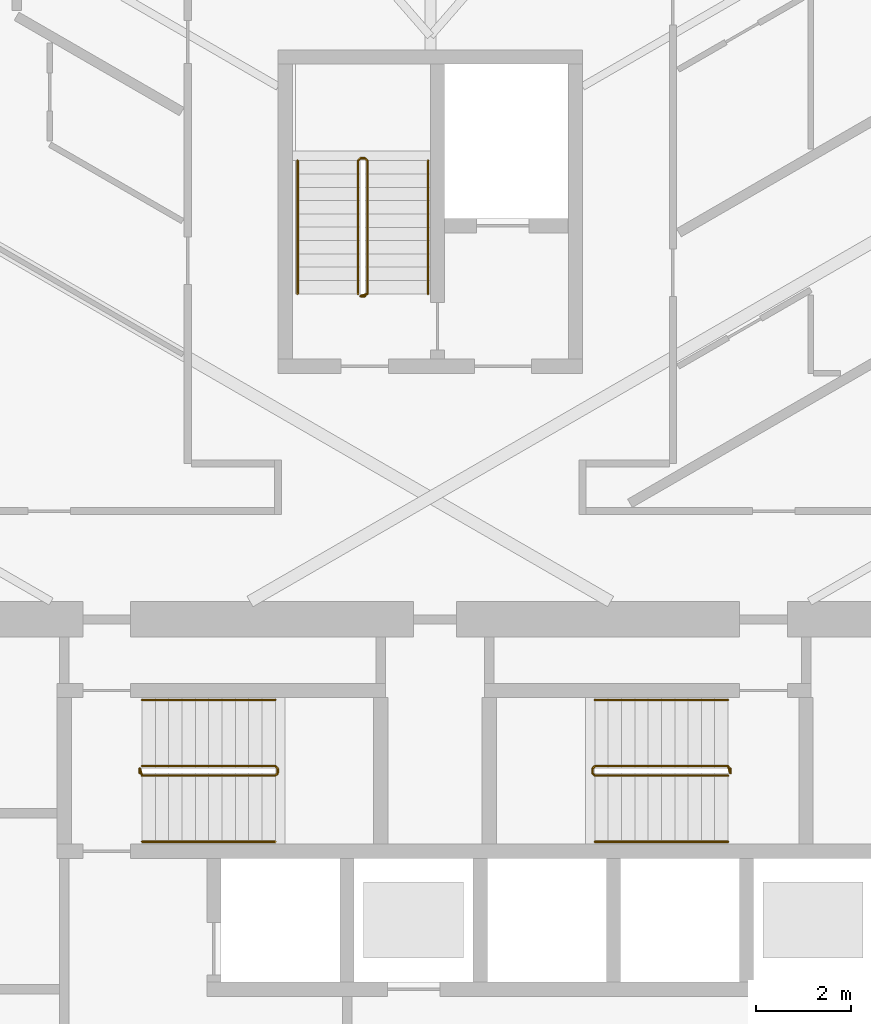
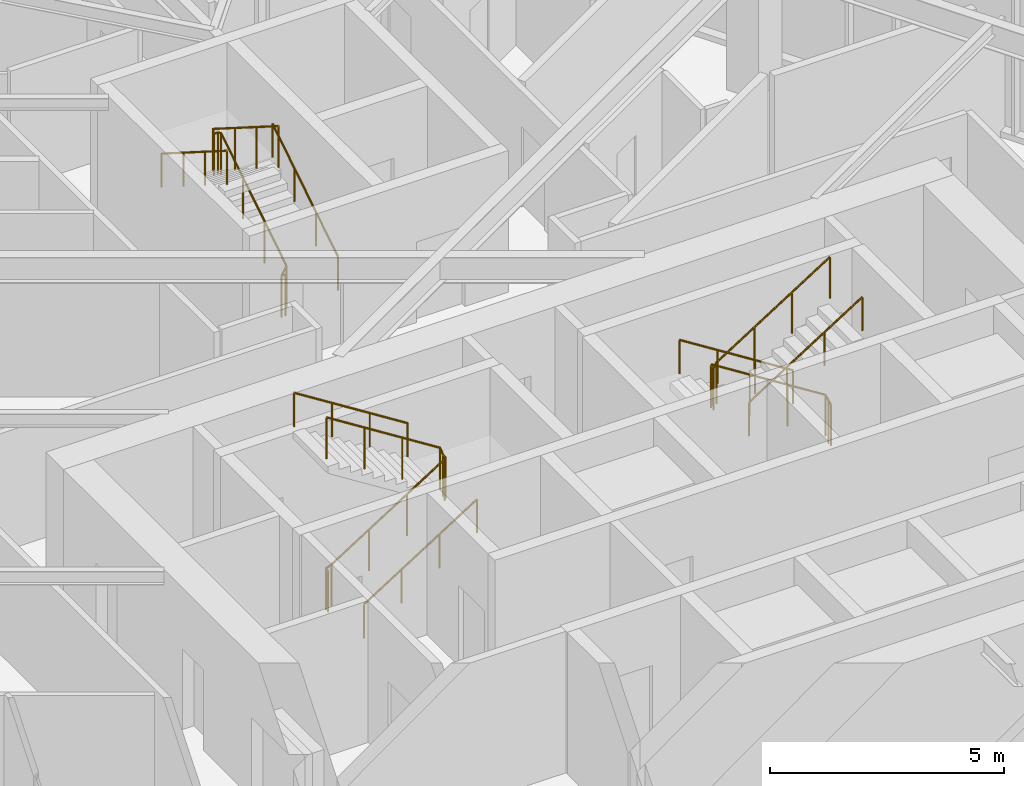
# One storey, part 18 of 19: 9 railings.
"""IFC4 building model written with IfcOpenShell, lengths in metres."""

from ifc_helpers import new_model, si_unit, direction, frame, origin, origin_2d, place, context, subcontext, project, spatial, circle, extrude, material, type_object, element, save


model = new_model("IFC4")

# Units and contexts
model_context = context("Model", 3, precision=1e-05, world=origin(), true_north=direction((0.0, 1.0)))
body_context = subcontext(model_context, "Body", "Model", "MODEL_VIEW")
ifc_project = project(units=[si_unit("LENGTHUNIT", "METRE"), si_unit("AREAUNIT", "SQUARE_METRE"), si_unit("VOLUMEUNIT", "CUBIC_METRE"), si_unit("PLANEANGLEUNIT", "RADIAN"), si_unit("MASSUNIT", "GRAM", prefix="KILO")], contexts=[model_context])

# Site, building, storey
site_placement = place(None, origin())
site = spatial("IfcSite", under=ifc_project, at=site_placement, CompositionType="ELEMENT")
building_placement = place(site_placement, origin())
building = spatial("IfcBuilding", under=site, at=building_placement, Name="Firuza Gate Tower and Library", CompositionType="ELEMENT")
storey_placement = place(building_placement, frame((0.0, 0.0, 179.199951171875)))
storey = spatial("IfcBuildingStorey", under=building, at=storey_placement, Name="L41", CompositionType="ELEMENT", Elevation=179.199951171875)

# Railings
ifc_material_1 = material(Name="Steel S355", Category="steel")
railing_type_1 = type_object("IfcRailingType", Name="Stair guard 1100", PredefinedType="GUARDRAIL", material=ifc_material_1)
railing_1_placement = place(storey_placement, frame((68.889892578125, 79.389892578125, 0.0)))
element("IfcRailing", 1, at=railing_1_placement, inside=storey, type_object=railing_type_1, Name="L41 ST1 stair guard 1", PredefinedType="GUARDRAIL", context=body_context, shape_type="SweptSolid", body=[
    extrude(circle(Radius=0.02392578125, at=origin_2d()), frame((0.0, 0.0, 1.076171875), z_axis=(0.0, 1.0, 0.0), x_axis=(-1.0, 0.0, 0.0)), (0.0, 0.0, 1.0), 0.10009765625),
    extrude(circle(Radius=0.02392578125, at=origin_2d()), frame((0.0, 0.10009765625, 1.076171875), z_axis=(0.210758951027, -0.631248760638, 0.74639511437), x_axis=(0.948528701346, 0.316691178788, 0.0)), (0.0, 0.0, 1.0), 0.237548828125),
    extrude(circle(Radius=0.02392578125, at=origin_2d()), frame((0.050048828125, -0.0498046875, 1.25341796875), z_axis=(0.844908973607, 0.0, 0.534910110503), x_axis=(0.0, 1.0, 0.0)), (0.0, 0.0, 1.0), 3.31396484375),
    extrude(circle(Radius=0.02392578125, at=origin_2d()), frame((2.85009765625, -0.0498046875, 3.02587890625), z_axis=(0.708833529934, 0.705375805398, 0.0), x_axis=(-0.705375805398, 0.708833529934, 0.0)), (0.0, 0.0, 1.0), 0.070556640625),
    extrude(circle(Radius=0.02392578125, at=origin_2d()), frame((2.900146484375, 0.0, 3.02587890625), z_axis=(0.0, 1.0, 0.0), x_axis=(-1.0, 0.0, 0.0)), (0.0, 0.0, 1.0), 0.10009765625),
    extrude(circle(Radius=0.02392578125, at=origin_2d()), frame((2.900146484375, 0.10009765625, 3.02587890625), z_axis=(-0.261922500866, 0.261922500866, 0.928866625022), x_axis=(-0.707106781187, -0.707106781187, 0.0)), (0.0, 0.0, 1.0), 0.191162109375),
    extrude(circle(Radius=0.02392578125, at=origin_2d()), frame((2.85009765625, 0.150146484375, 3.20361328125), z_axis=(-0.844908973607, 0.0, 0.534910110503), x_axis=(0.0, -1.0, 0.0)), (0.0, 0.0, 1.0), 3.31396484375),
    extrude(circle(Radius=0.02099609375, at=origin_2d()), origin(), (0.0, 0.0, 1.0), 1.052001953125),
    extrude(circle(Radius=0.02099609375, at=origin_2d()), frame((0.0, 0.10009765625, 0.0)), (0.0, 0.0, 1.0), 1.052001953125),
    extrude(circle(Radius=0.02099609375, at=origin_2d()), frame((0.050048828125, -0.0498046875, 0.17724609375)), (0.0, 0.0, 1.0), 1.052001953125),
    extrude(circle(Radius=0.02099609375, at=origin_2d()), frame((0.9833984375, -0.0498046875, 0.76806640625)), (0.0, 0.0, 1.0), 1.052001953125),
    extrude(circle(Radius=0.02099609375, at=origin_2d()), frame((1.916748046875, -0.0498046875, 1.359130859375)), (0.0, 0.0, 1.0), 1.052001953125),
    extrude(circle(Radius=0.02099609375, at=origin_2d()), frame((2.85009765625, -0.0498046875, 1.949951171875)), (0.0, 0.0, 1.0), 1.052001953125),
    extrude(circle(Radius=0.02099609375, at=origin_2d()), frame((2.900146484375, 0.0, 1.949951171875)), (0.0, 0.0, 1.0), 1.052001953125),
    extrude(circle(Radius=0.02099609375, at=origin_2d()), frame((2.900146484375, 0.10009765625, 1.949951171875)), (0.0, 0.0, 1.0), 1.052001953125),
    extrude(circle(Radius=0.02099609375, at=origin_2d()), frame((2.85009765625, 0.150146484375, 2.12744140625)), (0.0, 0.0, 1.0), 1.052001953125),
    extrude(circle(Radius=0.02099609375, at=origin_2d()), frame((1.916748046875, 0.150146484375, 2.71826171875)), (0.0, 0.0, 1.0), 1.052001953125),
    extrude(circle(Radius=0.02099609375, at=origin_2d()), frame((0.9833984375, 0.150146484375, 3.309326171875)), (0.0, 0.0, 1.0), 1.052001953125),
    extrude(circle(Radius=0.02099609375, at=origin_2d()), frame((0.050048828125, 0.150146484375, 3.900146484375)), (0.0, 0.0, 1.0), 1.052001953125),
])
railing_2_placement = place(storey_placement, frame((81.31005859375, 79.489990234375, 0.0)))
element("IfcRailing", 2, at=railing_2_placement, inside=storey, type_object=railing_type_1, Name="L41 ST2 stair guard 1", PredefinedType="GUARDRAIL", context=body_context, shape_type="SweptSolid", body=[
    extrude(circle(Radius=0.02392578125, at=origin_2d()), frame((0.0, 0.0, 1.076171875), z_axis=(0.0, -1.0, 0.0), x_axis=(1.0, 0.0, 0.0)), (0.0, 0.0, 1.0), 0.10009765625),
    extrude(circle(Radius=0.02392578125, at=origin_2d()), frame((0.0, -0.10009765625, 1.076171875), z_axis=(-0.210622194084, 0.631866582253, 0.74591079466), x_axis=(-0.948683298051, -0.316227766017, 0.0)), (0.0, 0.0, 1.0), 0.237548828125),
    extrude(circle(Radius=0.02392578125, at=origin_2d()), frame((-0.050048828125, 0.050048828125, 1.25341796875), z_axis=(-0.844908973607, 0.0, 0.534910110503), x_axis=(0.0, -1.0, 0.0)), (0.0, 0.0, 1.0), 3.31396484375),
    extrude(circle(Radius=0.02392578125, at=origin_2d()), frame((-2.85009765625, 0.050048828125, 3.02587890625), z_axis=(-0.707106781187, -0.707106781187, 0.0), x_axis=(0.707106781187, -0.707106781187, 0.0)), (0.0, 0.0, 1.0), 0.07080078125),
    extrude(circle(Radius=0.02392578125, at=origin_2d()), frame((-2.900146484375, 0.0, 3.02587890625), z_axis=(0.0, -1.0, 0.0), x_axis=(1.0, 0.0, 0.0)), (0.0, 0.0, 1.0), 0.10009765625),
    extrude(circle(Radius=0.02392578125, at=origin_2d()), frame((-2.900146484375, -0.10009765625, 3.02587890625), z_axis=(0.262009983441, -0.260731885961, 0.929176868105), x_axis=(0.705375805398, 0.708833529934, 0.0)), (0.0, 0.0, 1.0), 0.19091796875),
    extrude(circle(Radius=0.02392578125, at=origin_2d()), frame((-2.85009765625, -0.14990234375, 3.20361328125), z_axis=(0.844908973607, 0.0, 0.534910110503), x_axis=(0.0, 1.0, 0.0)), (0.0, 0.0, 1.0), 3.31396484375),
    extrude(circle(Radius=0.02099609375, at=origin_2d()), origin(), (0.0, 0.0, 1.0), 1.052001953125),
    extrude(circle(Radius=0.02099609375, at=origin_2d()), frame((0.0, -0.10009765625, 0.0)), (0.0, 0.0, 1.0), 1.052001953125),
    extrude(circle(Radius=0.02099609375, at=origin_2d()), frame((-0.050048828125, 0.050048828125, 0.17724609375)), (0.0, 0.0, 1.0), 1.052001953125),
    extrude(circle(Radius=0.02099609375, at=origin_2d()), frame((-0.9833984375, 0.050048828125, 0.76806640625)), (0.0, 0.0, 1.0), 1.052001953125),
    extrude(circle(Radius=0.02099609375, at=origin_2d()), frame((-1.916748046875, 0.050048828125, 1.359130859375)), (0.0, 0.0, 1.0), 1.052001953125),
    extrude(circle(Radius=0.02099609375, at=origin_2d()), frame((-2.85009765625, 0.050048828125, 1.949951171875)), (0.0, 0.0, 1.0), 1.052001953125),
    extrude(circle(Radius=0.02099609375, at=origin_2d()), frame((-2.900146484375, 0.0, 1.949951171875)), (0.0, 0.0, 1.0), 1.052001953125),
    extrude(circle(Radius=0.02099609375, at=origin_2d()), frame((-2.900146484375, -0.10009765625, 1.949951171875)), (0.0, 0.0, 1.0), 1.052001953125),
    extrude(circle(Radius=0.02099609375, at=origin_2d()), frame((-2.85009765625, -0.14990234375, 2.12744140625)), (0.0, 0.0, 1.0), 1.052001953125),
    extrude(circle(Radius=0.02099609375, at=origin_2d()), frame((-1.916748046875, -0.14990234375, 2.71826171875)), (0.0, 0.0, 1.0), 1.052001953125),
    extrude(circle(Radius=0.02099609375, at=origin_2d()), frame((-0.9833984375, -0.14990234375, 3.309326171875)), (0.0, 0.0, 1.0), 1.052001953125),
    extrude(circle(Radius=0.02099609375, at=origin_2d()), frame((-0.050048828125, -0.14990234375, 3.900146484375)), (0.0, 0.0, 1.0), 1.052001953125),
])
railing_3_placement = place(storey_placement, frame((73.6298828125, 89.419921875, 0.0)))
element("IfcRailing", 3, at=railing_3_placement, inside=storey, type_object=railing_type_1, Name="L41 ST3 stair guard 1", PredefinedType="GUARDRAIL", context=body_context, shape_type="SweptSolid", body=[
    extrude(circle(Radius=0.02392578125, at=origin_2d()), frame((0.0, 0.0, 1.076171875), z_axis=(-1.0, 0.0, 0.0), x_axis=(0.0, -1.0, 0.0)), (0.0, 0.0, 1.0), 0.099853515625),
    extrude(circle(Radius=0.02392578125, at=origin_2d()), frame((-0.099853515625, 0.0, 1.076171875), z_axis=(0.631248760638, 0.210758951027, 0.74639511437), x_axis=(-0.316691178788, 0.948528701346, 0.0)), (0.0, 0.0, 1.0), 0.237548828125),
    extrude(circle(Radius=0.02392578125, at=origin_2d()), frame((0.050048828125, 0.050048828125, 1.25341796875), z_axis=(0.0, 0.844908973607, 0.534910110503), x_axis=(-1.0, 0.0, 0.0)), (0.0, 0.0, 1.0), 3.31396484375),
    extrude(circle(Radius=0.02392578125, at=origin_2d()), frame((0.050048828125, 2.85009765625, 3.02587890625), z_axis=(-0.707106781187, 0.707106781187, 0.0), x_axis=(-0.707106781187, -0.707106781187, 0.0)), (0.0, 0.0, 1.0), 0.07080078125),
    extrude(circle(Radius=0.02392578125, at=origin_2d()), frame((0.0, 2.900146484375, 3.02587890625), z_axis=(-1.0, 0.0, 0.0), x_axis=(0.0, -1.0, 0.0)), (0.0, 0.0, 1.0), 0.099853515625),
    extrude(circle(Radius=0.02392578125, at=origin_2d()), frame((-0.099853515625, 2.900146484375, 3.02587890625), z_axis=(-0.261922500866, -0.261922500866, 0.928866625022), x_axis=(0.707106781187, -0.707106781187, 0.0)), (0.0, 0.0, 1.0), 0.191162109375),
    extrude(circle(Radius=0.02392578125, at=origin_2d()), frame((-0.14990234375, 2.85009765625, 3.20361328125), z_axis=(0.0, -0.844908973607, 0.534910110503), x_axis=(1.0, 0.0, 0.0)), (0.0, 0.0, 1.0), 3.31396484375),
    extrude(circle(Radius=0.02099609375, at=origin_2d()), origin(), (0.0, 0.0, 1.0), 1.052001953125),
    extrude(circle(Radius=0.02099609375, at=origin_2d()), frame((-0.099853515625, 0.0, 0.0)), (0.0, 0.0, 1.0), 1.052001953125),
    extrude(circle(Radius=0.02099609375, at=origin_2d()), frame((0.050048828125, 0.050048828125, 0.17724609375)), (0.0, 0.0, 1.0), 1.052001953125),
    extrude(circle(Radius=0.02099609375, at=origin_2d()), frame((0.050048828125, 0.9833984375, 0.76806640625)), (0.0, 0.0, 1.0), 1.052001953125),
    extrude(circle(Radius=0.02099609375, at=origin_2d()), frame((0.050048828125, 1.916748046875, 1.359130859375)), (0.0, 0.0, 1.0), 1.052001953125),
    extrude(circle(Radius=0.02099609375, at=origin_2d()), frame((0.050048828125, 2.85009765625, 1.949951171875)), (0.0, 0.0, 1.0), 1.052001953125),
    extrude(circle(Radius=0.02099609375, at=origin_2d()), frame((0.0, 2.900146484375, 1.949951171875)), (0.0, 0.0, 1.0), 1.052001953125),
    extrude(circle(Radius=0.02099609375, at=origin_2d()), frame((-0.099853515625, 2.900146484375, 1.949951171875)), (0.0, 0.0, 1.0), 1.052001953125),
    extrude(circle(Radius=0.02099609375, at=origin_2d()), frame((-0.14990234375, 2.85009765625, 2.12744140625)), (0.0, 0.0, 1.0), 1.052001953125),
    extrude(circle(Radius=0.02099609375, at=origin_2d()), frame((-0.14990234375, 1.916748046875, 2.71826171875)), (0.0, 0.0, 1.0), 1.052001953125),
    extrude(circle(Radius=0.02099609375, at=origin_2d()), frame((-0.14990234375, 0.9833984375, 3.309326171875)), (0.0, 0.0, 1.0), 1.052001953125),
    extrude(circle(Radius=0.02099609375, at=origin_2d()), frame((-0.14990234375, 0.050048828125, 3.900146484375)), (0.0, 0.0, 1.0), 1.052001953125),
])
ifc_material_2 = material(Name="Steel S355", Category="steel")
railing_type_2 = type_object("IfcRailingType", Name="Stair handrail 900", PredefinedType="HANDRAIL", material=ifc_material_2)
railing_4_placement = place(storey_placement, frame((68.93994140625, 77.949951171875, 0.17724609375)))
element("IfcRailing", 4, at=railing_4_placement, inside=storey, type_object=railing_type_2, Name="L41 ST1 stair handrail 1", PredefinedType="HANDRAIL", context=body_context, shape_type="SweptSolid", body=[
    extrude(circle(Radius=0.02392578125, at=origin_2d()), frame((0.0, 0.0, 0.8759765625), z_axis=(0.844908973607, 0.0, 0.534910110503), x_axis=(0.0, 1.0, 0.0)), (0.0, 0.0, 1.0), 3.31396484375),
    extrude(circle(Radius=0.02099609375, at=origin_2d()), origin(), (0.0, 0.0, 1.0), 0.851806640625),
    extrude(circle(Radius=0.02099609375, at=origin_2d()), frame((0.933349609375, 0.0, 0.5908203125)), (0.0, 0.0, 1.0), 0.851806640625),
    extrude(circle(Radius=0.02099609375, at=origin_2d()), frame((1.86669921875, 0.0, 1.181884765625)), (0.0, 0.0, 1.0), 0.851806640625),
    extrude(circle(Radius=0.02099609375, at=origin_2d()), frame((2.800048828125, 0.0, 1.772705078125)), (0.0, 0.0, 1.0), 0.851806640625),
])
for number, where, name in (
    (5, (71.739990234375, 80.929931640625, 2.12744140625), "L41 ST1 stair handrail 2"),
    (6, (81.260009765625, 80.929931640625, 0.17724609375), "L41 ST2 stair handrail 1"),
):
    element("IfcRailing", number, at=place(storey_placement, frame(where)), inside=storey, type_object=railing_type_2, Name=name, PredefinedType="HANDRAIL", context=body_context, shape_type="SweptSolid", body=[
        extrude(circle(Radius=0.02392578125, at=origin_2d()), frame((0.0, 0.0, 0.8759765625), z_axis=(-0.844908973607, 0.0, 0.534910110503), x_axis=(0.0, -1.0, 0.0)), (0.0, 0.0, 1.0), 3.31396484375),
        extrude(circle(Radius=0.02099609375, at=origin_2d()), origin(), (0.0, 0.0, 1.0), 0.851806640625),
        extrude(circle(Radius=0.02099609375, at=origin_2d()), frame((-0.933349609375, 0.0, 0.5908203125)), (0.0, 0.0, 1.0), 0.851806640625),
        extrude(circle(Radius=0.02099609375, at=origin_2d()), frame((-1.86669921875, 0.0, 1.181884765625)), (0.0, 0.0, 1.0), 0.851806640625),
        extrude(circle(Radius=0.02099609375, at=origin_2d()), frame((-2.800048828125, 0.0, 1.772705078125)), (0.0, 0.0, 1.0), 0.851806640625),
    ])
railing_5_placement = place(storey_placement, frame((78.4599609375, 77.949951171875, 2.12744140625)))
element("IfcRailing", 7, at=railing_5_placement, inside=storey, type_object=railing_type_2, Name="L41 ST2 stair handrail 2", PredefinedType="HANDRAIL", context=body_context, shape_type="SweptSolid", body=[
    extrude(circle(Radius=0.02392578125, at=origin_2d()), frame((0.0, 0.0, 0.8759765625), z_axis=(0.844908973607, 0.0, 0.534910110503), x_axis=(0.0, 1.0, 0.0)), (0.0, 0.0, 1.0), 3.31396484375),
    extrude(circle(Radius=0.02099609375, at=origin_2d()), origin(), (0.0, 0.0, 1.0), 0.851806640625),
    extrude(circle(Radius=0.02099609375, at=origin_2d()), frame((0.933349609375, 0.0, 0.5908203125)), (0.0, 0.0, 1.0), 0.851806640625),
    extrude(circle(Radius=0.02099609375, at=origin_2d()), frame((1.86669921875, 0.0, 1.181884765625)), (0.0, 0.0, 1.0), 0.851806640625),
    extrude(circle(Radius=0.02099609375, at=origin_2d()), frame((2.800048828125, 0.0, 1.772705078125)), (0.0, 0.0, 1.0), 0.851806640625),
])
railing_6_placement = place(storey_placement, frame((74.949951171875, 89.469970703125, 0.17724609375)))
element("IfcRailing", 8, at=railing_6_placement, inside=storey, type_object=railing_type_2, Name="L41 ST3 stair handrail 1", PredefinedType="HANDRAIL", context=body_context, shape_type="SweptSolid", body=[
    extrude(circle(Radius=0.02392578125, at=origin_2d()), frame((0.0, 0.0, 0.8759765625), z_axis=(0.0, 0.844908973607, 0.534910110503), x_axis=(-1.0, 0.0, 0.0)), (0.0, 0.0, 1.0), 3.31396484375),
    extrude(circle(Radius=0.02099609375, at=origin_2d()), origin(), (0.0, 0.0, 1.0), 0.851806640625),
    extrude(circle(Radius=0.02099609375, at=origin_2d()), frame((0.0, 0.933349609375, 0.5908203125)), (0.0, 0.0, 1.0), 0.851806640625),
    extrude(circle(Radius=0.02099609375, at=origin_2d()), frame((0.0, 1.86669921875, 1.181884765625)), (0.0, 0.0, 1.0), 0.851806640625),
    extrude(circle(Radius=0.02099609375, at=origin_2d()), frame((0.0, 2.800048828125, 1.772705078125)), (0.0, 0.0, 1.0), 0.851806640625),
])
railing_7_placement = place(storey_placement, frame((72.2099609375, 92.27001953125, 2.12744140625)))
element("IfcRailing", 9, at=railing_7_placement, inside=storey, type_object=railing_type_2, Name="L41 ST3 stair handrail 2", PredefinedType="HANDRAIL", context=body_context, shape_type="SweptSolid", body=[
    extrude(circle(Radius=0.02392578125, at=origin_2d()), frame((0.0, 0.0, 0.8759765625), z_axis=(0.0, -0.844908973607, 0.534910110503), x_axis=(1.0, 0.0, 0.0)), (0.0, 0.0, 1.0), 3.31396484375),
    extrude(circle(Radius=0.02099609375, at=origin_2d()), origin(), (0.0, 0.0, 1.0), 0.851806640625),
    extrude(circle(Radius=0.02099609375, at=origin_2d()), frame((0.0, -0.933349609375, 0.5908203125)), (0.0, 0.0, 1.0), 0.851806640625),
    extrude(circle(Radius=0.02099609375, at=origin_2d()), frame((0.0, -1.86669921875, 1.181884765625)), (0.0, 0.0, 1.0), 0.851806640625),
    extrude(circle(Radius=0.02099609375, at=origin_2d()), frame((0.0, -2.800048828125, 1.772705078125)), (0.0, 0.0, 1.0), 0.851806640625),
])

save(model, "model.ifc")
